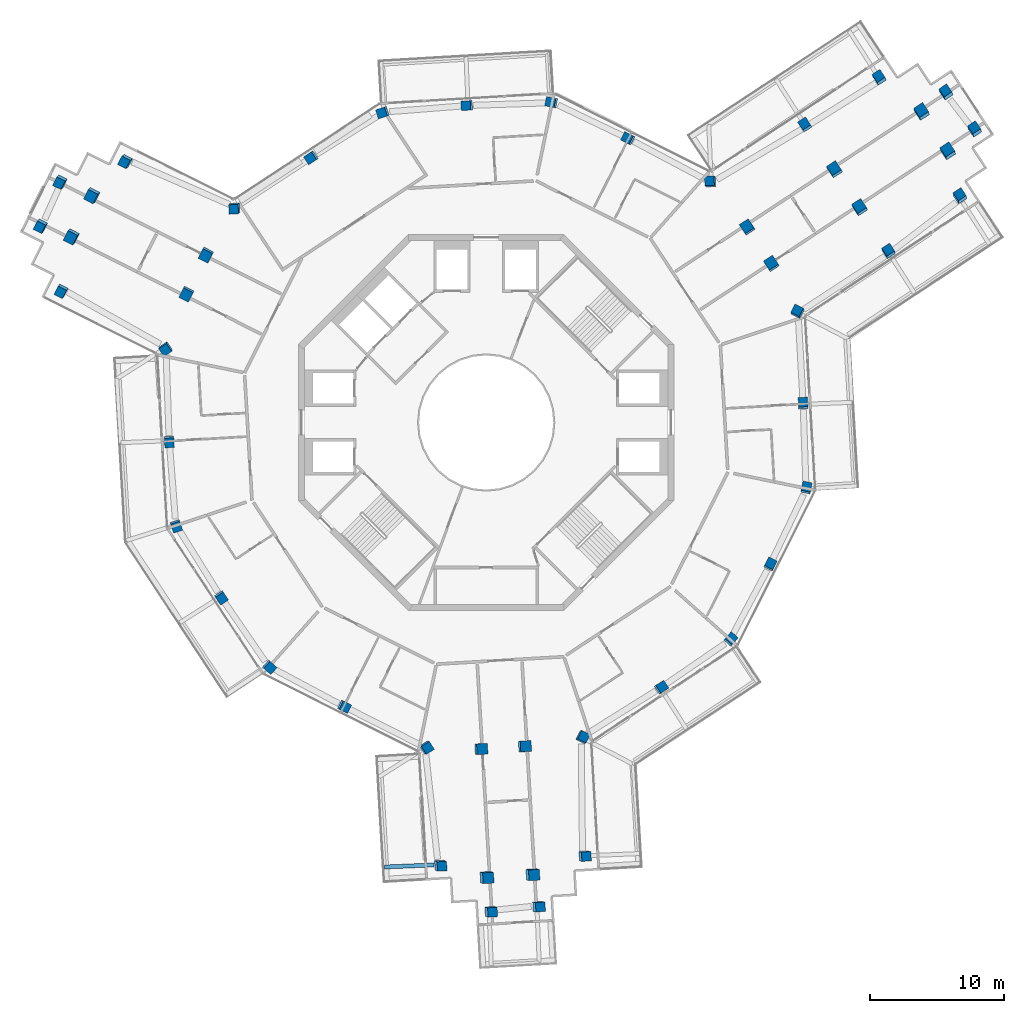
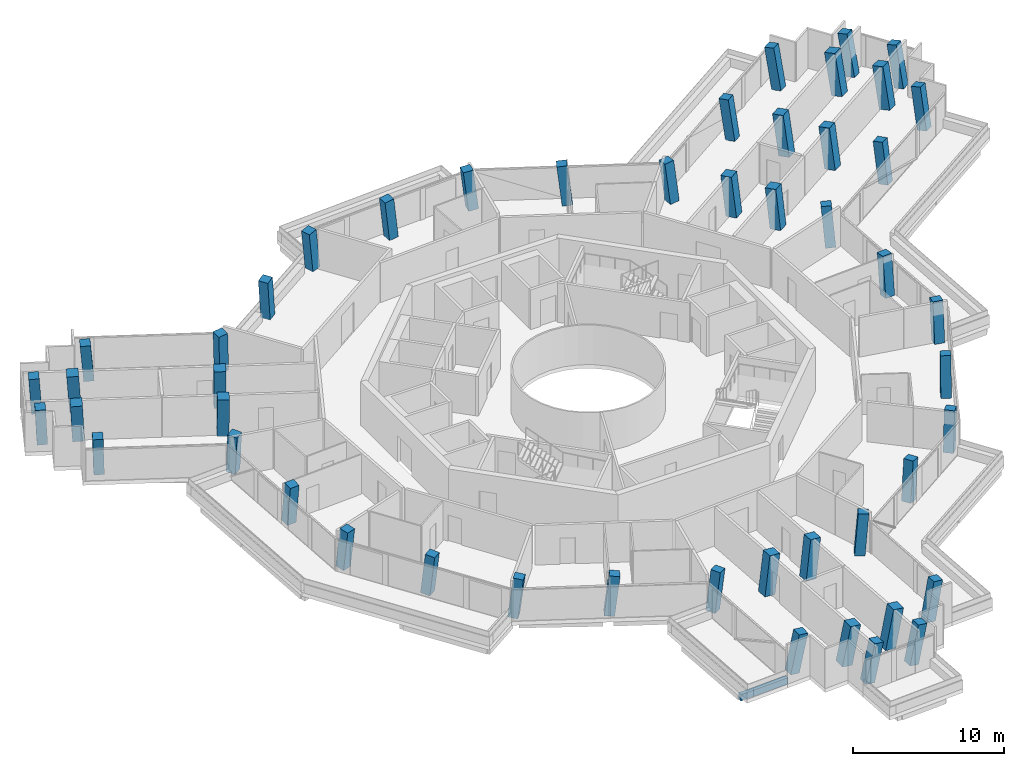
# One storey, part 1 of 26: 49 columns, 1 beam.
"""IFC4 building model written with IfcOpenShell, lengths in metres."""

from ifc_helpers import new_model, si_unit, direction, frame, origin, origin_2d, place, context, subcontext, project, spatial, rectangle, extrude, material, material_profile, profile_set, type_object, element, save


model = new_model("IFC4")

# Units and contexts
model_context = context("Model", 3, precision=1e-05, world=origin(), true_north=direction((0.0, 1.0)))
body_context = subcontext(model_context, "Body", "Model", "MODEL_VIEW")
ifc_project = project(units=[si_unit("LENGTHUNIT", "METRE"), si_unit("AREAUNIT", "SQUARE_METRE"), si_unit("VOLUMEUNIT", "CUBIC_METRE"), si_unit("PLANEANGLEUNIT", "RADIAN"), si_unit("MASSUNIT", "GRAM", prefix="KILO")], contexts=[model_context])

# Site, building, storey
site_placement = place(None, origin())
site = spatial("IfcSite", under=ifc_project, at=site_placement, CompositionType="ELEMENT")
building_placement = place(site_placement, origin())
building = spatial("IfcBuilding", under=site, at=building_placement, Name="Verdalira Terraces Hotel", CompositionType="ELEMENT")
storey_placement = place(building_placement, frame((0.0, 0.0, 291.5)))
storey = spatial("IfcBuildingStorey", under=building, at=storey_placement, Name="L72", CompositionType="ELEMENT", Elevation=291.5)

# Columns
ifc_material_1 = material(Name="Concrete C50", Category="concrete")
ifc_material_profile_1 = material_profile(ifc_material_1, rectangle(XDim=0.699951, YDim=0.699951, at=origin_2d()), Name="RC 700X700")
ifc_profile_set_1 = profile_set([ifc_material_profile_1], Name="Concrete C50")
column_type_1 = type_object("IfcColumnType", Name="Column RC 700X700 C50", PredefinedType="COLUMN", material=ifc_profile_set_1)
column_1_placement = place(storey_placement, frame((-26.816895, 19.504883, 0.0), z_axis=(-0.144489292, -0.101323304, 0.984305051), x_axis=(-0.884796223, 0.458585166, -0.082675808)))
element("IfcColumn", 1, at=column_1_placement, inside=storey, type_object=column_type_1, Name="Column C01", PredefinedType="COLUMN", context=body_context, shape_type="SweptSolid", body=[
    extrude(rectangle(XDim=0.699951, YDim=0.699951, at=origin_2d()), origin(), (0.0, 0.0, 1.0), 3.240723),
])
column_2_placement = place(storey_placement, frame((-31.614746, 9.851318, 0.0), z_axis=(-0.099140693, -0.123925866, 0.987326442), x_axis=(0.890936992, -0.452954697, 0.032608574)))
element("IfcColumn", 2, at=column_2_placement, inside=storey, type_object=column_type_1, Name="Column C02", PredefinedType="COLUMN", context=body_context, shape_type="SweptSolid", body=[
    extrude(rectangle(XDim=0.699951, YDim=0.699951, at=origin_2d()), origin(), (0.0, 0.0, 1.0), 3.230957),
])
column_3_placement = place(storey_placement, frame((-23.883789, 5.536865, 0.0), z_axis=(-0.0253882, -0.113790823, 0.99318029), x_axis=(-0.553702002, 0.828785361, 0.080801716)))
element("IfcColumn", 3, at=column_3_placement, inside=storey, type_object=column_type_1, Name="Column C03", PredefinedType="COLUMN", context=body_context, shape_type="SweptSolid", body=[
    extrude(rectangle(XDim=0.699951, YDim=0.699951, at=origin_2d()), origin(), (0.0, 0.0, 1.0), 3.211914),
])
column_4_placement = place(storey_placement, frame((-23.617676, -1.386719, 0.0), z_axis=(0.007528817, -0.112247814, 0.993651722), x_axis=(0.058082911, -0.991953134, -0.112496023)))
element("IfcColumn", 4, at=column_4_placement, inside=storey, type_object=column_type_1, Name="Column C04", PredefinedType="COLUMN", context=body_context, shape_type="SweptSolid", body=[
    extrude(rectangle(XDim=0.699951, YDim=0.699951, at=origin_2d()), origin(), (0.0, 0.0, 1.0), 3.210205),
])
column_5_placement = place(storey_placement, frame((-23.108643, -7.669189, 0.0), z_axis=(0.037401551, -0.109619993, 0.993269642), x_axis=(-0.312748183, 0.942748169, 0.11582083)))
element("IfcColumn", 5, at=column_5_placement, inside=storey, type_object=column_type_1, Name="Column C05", PredefinedType="COLUMN", context=body_context, shape_type="SweptSolid", body=[
    extrude(rectangle(XDim=0.699951, YDim=0.699951, at=origin_2d()), origin(), (0.0, 0.0, 1.0), 3.21167),
])
column_6_placement = place(storey_placement, frame((-19.760254, -13.009766, 0.0), z_axis=(0.062663903, -0.093463516, 0.993648734), x_axis=(0.546321949, -0.829982551, -0.112522412)))
element("IfcColumn", 6, at=column_6_placement, inside=storey, type_object=column_type_1, Name="Column C06", PredefinedType="COLUMN", context=body_context, shape_type="SweptSolid", body=[
    extrude(rectangle(XDim=0.699951, YDim=0.699951, at=origin_2d()), origin(), (0.0, 0.0, 1.0), 3.210449),
])
column_7_placement = place(storey_placement, frame((-16.177979, -18.196045, 0.0), z_axis=(0.087194218, -0.076247429, 0.993269096), x_axis=(-0.742135032, 0.660166681, 0.115825506)))
element("IfcColumn", 7, at=column_7_placement, inside=storey, type_object=column_type_1, Name="Column C07", PredefinedType="COLUMN", context=body_context, shape_type="SweptSolid", body=[
    extrude(rectangle(XDim=0.699951, YDim=0.699951, at=origin_2d()), origin(), (0.0, 0.0, 1.0), 3.21167),
])
column_8_placement = place(storey_placement, frame((-10.60791, -21.146729, 0.0), z_axis=(0.100992141, -0.049659539, 0.993647079), x_axis=(0.88792749, -0.446004698, -0.112537025)))
element("IfcColumn", 8, at=column_8_placement, inside=storey, type_object=column_type_1, Name="Column C08", PredefinedType="COLUMN", context=body_context, shape_type="SweptSolid", body=[
    extrude(rectangle(XDim=0.699951, YDim=0.699951, at=origin_2d()), origin(), (0.0, 0.0, 1.0), 3.210449),
])
column_9_placement = place(storey_placement, frame((-4.488281, -24.216553, 0.0), z_axis=(0.11530423, -0.020370161, 0.993121338), x_axis=(-0.542404026, 0.836287858, 0.08012797)))
element("IfcColumn", 9, at=column_9_placement, inside=storey, type_object=column_type_1, Name="Column C09", PredefinedType="COLUMN", context=body_context, shape_type="SweptSolid", body=[
    extrude(rectangle(XDim=0.699951, YDim=0.699951, at=origin_2d()), origin(), (0.0, 0.0, 1.0), 3.211914),
])
column_10_placement = place(storey_placement, frame((-3.483154, -32.976807, 0.0), z_axis=(0.160008058, -0.07442936, 0.98430569), x_axis=(0.045493894, -0.99553769, -0.082674137)))
element("IfcColumn", 10, at=column_10_placement, inside=storey, type_object=column_type_1, Name="Column C10", PredefinedType="COLUMN", context=body_context, shape_type="SweptSolid", body=[
    extrude(rectangle(XDim=0.699951, YDim=0.699951, at=origin_2d()), origin(), (0.0, 0.0, 1.0), 3.240723),
])
column_11_placement = place(storey_placement, frame((0.265137, -36.422852, 0.0), z_axis=(0.175858033, -0.056563405, 0.98278916), x_axis=(0.982673598, 0.069451946, -0.17184012)))
element("IfcColumn", 11, at=column_11_placement, inside=storey, type_object=column_type_1, Name="Column C11", PredefinedType="COLUMN", context=body_context, shape_type="SweptSolid", body=[
    extrude(rectangle(XDim=0.699951, YDim=0.699951, at=origin_2d()), origin(), (0.0, 0.0, 1.0), 3.24585),
])
column_12_placement = place(storey_placement, frame((3.82959, -36.053223, 0.0), z_axis=(0.17417523, -0.03991045, 0.983905557), x_axis=(0.982989056, 0.066173794, -0.17132876)))
element("IfcColumn", 12, at=column_12_placement, inside=storey, type_object=column_type_1, Name="Column C12", PredefinedType="COLUMN", context=body_context, shape_type="SweptSolid", body=[
    extrude(rectangle(XDim=0.699951, YDim=0.699951, at=origin_2d()), origin(), (0.0, 0.0, 1.0), 3.242188),
])
column_13_placement = place(storey_placement, frame((7.275879, -32.304932, 0.0), z_axis=(0.156872598, -0.023878488, 0.98733014), x_axis=(-0.053284691, 0.998046958, 0.032603846)))
element("IfcColumn", 13, at=column_13_placement, inside=storey, type_object=column_type_1, Name="Column C13", PredefinedType="COLUMN", context=body_context, shape_type="SweptSolid", body=[
    extrude(rectangle(XDim=0.699951, YDim=0.699951, at=origin_2d()), origin(), (0.0, 0.0, 1.0), 3.230957),
])
column_14_placement = place(storey_placement, frame((7.146729, -23.452393, 0.0), z_axis=(0.111206882, 0.034889924, 0.993184637), x_axis=(-0.440961919, -0.893883559, 0.080776048)))
element("IfcColumn", 14, at=column_14_placement, inside=storey, type_object=column_type_1, Name="Column C14", PredefinedType="COLUMN", context=body_context, shape_type="SweptSolid", body=[
    extrude(rectangle(XDim=0.699951, YDim=0.699951, at=origin_2d()), origin(), (0.0, 0.0, 1.0), 3.211914),
])
column_15_placement = place(storey_placement, frame((13.009766, -19.760254, 0.0), z_axis=(0.093463516, 0.062663903, 0.993648734), x_axis=(0.829982551, 0.546321949, -0.112522412)))
element("IfcColumn", 15, at=column_15_placement, inside=storey, type_object=column_type_1, Name="Column C15", PredefinedType="COLUMN", context=body_context, shape_type="SweptSolid", body=[
    extrude(rectangle(XDim=0.699951, YDim=0.699951, at=origin_2d()), origin(), (0.0, 0.0, 1.0), 3.210449),
])
column_16_placement = place(storey_placement, frame((18.196045, -16.177979, 0.0), z_axis=(0.076247429, 0.087194218, 0.993269096), x_axis=(-0.660166681, -0.742135032, 0.115825506)))
element("IfcColumn", 16, at=column_16_placement, inside=storey, type_object=column_type_1, Name="Column C16", PredefinedType="COLUMN", context=body_context, shape_type="SweptSolid", body=[
    extrude(rectangle(XDim=0.699951, YDim=0.699951, at=origin_2d()), origin(), (0.0, 0.0, 1.0), 3.21167),
])
column_17_placement = place(storey_placement, frame((21.146729, -10.60791, 0.0), z_axis=(0.049659539, 0.100992141, 0.993647079), x_axis=(0.446004698, 0.88792749, -0.112537025)))
element("IfcColumn", 17, at=column_17_placement, inside=storey, type_object=column_type_1, Name="Column C17", PredefinedType="COLUMN", context=body_context, shape_type="SweptSolid", body=[
    extrude(rectangle(XDim=0.699951, YDim=0.699951, at=origin_2d()), origin(), (0.0, 0.0, 1.0), 3.210449),
])
column_18_placement = place(storey_placement, frame((23.847168, -4.912598, 0.0), z_axis=(0.022425686, 0.113648817, 0.993267857), x_axis=(-0.200555144, -0.972810168, 0.115836137)))
element("IfcColumn", 18, at=column_18_placement, inside=storey, type_object=column_type_1, Name="Column C18", PredefinedType="COLUMN", context=body_context, shape_type="SweptSolid", body=[
    extrude(rectangle(XDim=0.699951, YDim=0.699951, at=origin_2d()), origin(), (0.0, 0.0, 1.0), 3.21167),
])
column_19_placement = place(storey_placement, frame((23.617676, 1.386719, 0.0), z_axis=(-0.007528817, 0.112247814, 0.993651722), x_axis=(-0.058082911, 0.991953134, -0.112496023)))
element("IfcColumn", 19, at=column_19_placement, inside=storey, type_object=column_type_1, Name="Column C19", PredefinedType="COLUMN", context=body_context, shape_type="SweptSolid", body=[
    extrude(rectangle(XDim=0.699951, YDim=0.699951, at=origin_2d()), origin(), (0.0, 0.0, 1.0), 3.210205),
])
column_20_placement = place(storey_placement, frame((23.216309, 8.221191, 0.0), z_axis=(-0.03998021, 0.110059589, 0.993120572), x_axis=(-0.453311302, -0.887743014, 0.080132415)))
element("IfcColumn", 20, at=column_20_placement, inside=storey, type_object=column_type_1, Name="Column C20", PredefinedType="COLUMN", context=body_context, shape_type="SweptSolid", body=[
    extrude(rectangle(XDim=0.699951, YDim=0.699951, at=origin_2d()), origin(), (0.0, 0.0, 1.0), 3.212158),
])
column_21_placement = place(storey_placement, frame((29.998535, 12.686523, 0.0), z_axis=(-0.03647698, 0.157991393, 0.986766512), x_axis=(0.838610723, 0.541869934, -0.055758681)))
element("IfcColumn", 21, at=column_21_placement, inside=storey, type_object=column_type_1, Name="Column C21", PredefinedType="COLUMN", context=body_context, shape_type="SweptSolid", body=[
    extrude(rectangle(XDim=0.699951, YDim=0.699951, at=origin_2d()), origin(), (0.0, 0.0, 1.0), 3.232666),
])
column_22_placement = place(storey_placement, frame((35.311523, 16.770996, 0.0), z_axis=(-0.03111484, 0.198385221, 0.979630119), x_axis=(0.84076444, 0.535204174, -0.081680162)))
element("IfcColumn", 22, at=column_22_placement, inside=storey, type_object=column_type_1, Name="Column C22", PredefinedType="COLUMN", context=body_context, shape_type="SweptSolid", body=[
    extrude(rectangle(XDim=0.699951, YDim=0.699951, at=origin_2d()), origin(), (0.0, 0.0, 1.0), 3.256348),
])
column_23_placement = place(storey_placement, frame((36.421875, 21.740479, 0.0), z_axis=(-0.054324158, 0.202929913, 0.977685193), x_axis=(-0.549974522, 0.811146231, -0.198921635)))
element("IfcColumn", 23, at=column_23_placement, inside=storey, type_object=column_type_1, Name="Column C23", PredefinedType="COLUMN", context=body_context, shape_type="SweptSolid", body=[
    extrude(rectangle(XDim=0.699951, YDim=0.699951, at=origin_2d()), origin(), (0.0, 0.0, 1.0), 3.262695),
])
column_24_placement = place(storey_placement, frame((34.291016, 24.50415, 0.0), z_axis=(-0.067276264, 0.193063398, 0.978877127), x_axis=(-0.547395325, 0.813115985, -0.197991803)))
element("IfcColumn", 24, at=column_24_placement, inside=storey, type_object=column_type_1, Name="Column C24", PredefinedType="COLUMN", context=body_context, shape_type="SweptSolid", body=[
    extrude(rectangle(XDim=0.699951, YDim=0.699951, at=origin_2d()), origin(), (0.0, 0.0, 1.0), 3.258789),
])
column_25_placement = place(storey_placement, frame((29.321777, 25.614502, 0.0), z_axis=(-0.072578591, 0.170352858, 0.982706595), x_axis=(-0.83802504, -0.544661541, 0.032524432)))
element("IfcColumn", 25, at=column_25_placement, inside=storey, type_object=column_type_1, Name="Column C25", PredefinedType="COLUMN", context=body_context, shape_type="SweptSolid", body=[
    extrude(rectangle(XDim=0.699951, YDim=0.699951, at=origin_2d()), origin(), (0.0, 0.0, 1.0), 3.246094),
])
column_26_placement = place(storey_placement, frame((23.784912, 22.124512, 0.0), z_axis=(-0.081016954, 0.128522694, 0.988391709), x_axis=(-0.835308585, -0.549773092, 0.003019209)))
element("IfcColumn", 26, at=column_26_placement, inside=storey, type_object=column_type_1, Name="Column C26", PredefinedType="COLUMN", context=body_context, shape_type="SweptSolid", body=[
    extrude(rectangle(XDim=0.699951, YDim=0.699951, at=origin_2d()), origin(), (0.0, 0.0, 1.0), 3.227295),
])
column_27_placement = place(storey_placement, frame((16.737061, 17.915527, 0.0), z_axis=(-0.085818315, 0.078901161, 0.993181667), x_axis=(0.994621215, 0.064815395, 0.080793584)))
element("IfcColumn", 27, at=column_27_placement, inside=storey, type_object=column_type_1, Name="Column C27", PredefinedType="COLUMN", context=body_context, shape_type="SweptSolid", body=[
    extrude(rectangle(XDim=0.699951, YDim=0.699951, at=origin_2d()), origin(), (0.0, 0.0, 1.0), 3.211914),
])
column_28_placement = place(storey_placement, frame((10.60791, 21.146729, 0.0), z_axis=(-0.100992141, 0.049659539, 0.993647079), x_axis=(-0.88792749, 0.446004698, -0.112537025)))
element("IfcColumn", 28, at=column_28_placement, inside=storey, type_object=column_type_1, Name="Column C28", PredefinedType="COLUMN", context=body_context, shape_type="SweptSolid", body=[
    extrude(rectangle(XDim=0.699951, YDim=0.699951, at=origin_2d()), origin(), (0.0, 0.0, 1.0), 3.210449),
])
column_29_placement = place(storey_placement, frame((4.912598, 23.847168, 0.0), z_axis=(-0.113648817, 0.022425686, 0.993267857), x_axis=(0.972810168, -0.200555144, 0.115836137)))
element("IfcColumn", 29, at=column_29_placement, inside=storey, type_object=column_type_1, Name="Column C29", PredefinedType="COLUMN", context=body_context, shape_type="SweptSolid", body=[
    extrude(rectangle(XDim=0.699951, YDim=0.699951, at=origin_2d()), origin(), (0.0, 0.0, 1.0), 3.21167),
])
column_30_placement = place(storey_placement, frame((-1.386719, 23.617676, 0.0), z_axis=(-0.112247814, -0.007528817, 0.993651722), x_axis=(-0.991953134, -0.058082911, -0.112496023)))
element("IfcColumn", 30, at=column_30_placement, inside=storey, type_object=column_type_1, Name="Column C30", PredefinedType="COLUMN", context=body_context, shape_type="SweptSolid", body=[
    extrude(rectangle(XDim=0.699951, YDim=0.699951, at=origin_2d()), origin(), (0.0, 0.0, 1.0), 3.210205),
])
column_31_placement = place(storey_placement, frame((-7.669189, 23.108643, 0.0), z_axis=(-0.109619993, -0.037401551, 0.993269642), x_axis=(0.942748169, 0.312748183, 0.11582083)))
element("IfcColumn", 31, at=column_31_placement, inside=storey, type_object=column_type_1, Name="Column C31", PredefinedType="COLUMN", context=body_context, shape_type="SweptSolid", body=[
    extrude(rectangle(XDim=0.699951, YDim=0.699951, at=origin_2d()), origin(), (0.0, 0.0, 1.0), 3.21167),
])
column_32_placement = place(storey_placement, frame((-13.009766, 19.760254, 0.0), z_axis=(-0.093463516, -0.062663903, 0.993648734), x_axis=(-0.829982551, -0.546321949, -0.112522412)))
element("IfcColumn", 32, at=column_32_placement, inside=storey, type_object=column_type_1, Name="Column C32", PredefinedType="COLUMN", context=body_context, shape_type="SweptSolid", body=[
    extrude(rectangle(XDim=0.699951, YDim=0.699951, at=origin_2d()), origin(), (0.0, 0.0, 1.0), 3.210449),
])
column_33_placement = place(storey_placement, frame((-18.728027, 15.995361, 0.0), z_axis=(-0.075323692, -0.089689159, 0.993117413), x_axis=(0.995452044, 0.051488692, 0.080150745)))
element("IfcColumn", 33, at=column_33_placement, inside=storey, type_object=column_type_1, Name="Column C33", PredefinedType="COLUMN", context=body_context, shape_type="SweptSolid", body=[
    extrude(rectangle(XDim=0.699951, YDim=0.699951, at=origin_2d()), origin(), (0.0, 0.0, 1.0), 3.212158),
])
column_34_placement = place(storey_placement, frame((-31.675781, 17.981689, 0.0), z_axis=(-0.136896808, -0.123959308, 0.982798735), x_axis=(-0.431340614, -0.885681959, -0.171792728)))
element("IfcColumn", 34, at=column_34_placement, inside=storey, type_object=column_type_1, Name="Column C34", PredefinedType="COLUMN", context=body_context, shape_type="SweptSolid", body=[
    extrude(rectangle(XDim=0.699951, YDim=0.699951, at=origin_2d()), origin(), (0.0, 0.0, 1.0), 3.24585),
])
column_35_placement = place(storey_placement, frame((-33.137939, 14.710205, 0.0), z_axis=(-0.121540419, -0.130878097, 0.983920144), x_axis=(-0.433817571, -0.88457626, -0.17125173)))
element("IfcColumn", 35, at=column_35_placement, inside=storey, type_object=column_type_1, Name="Column C35", PredefinedType="COLUMN", context=body_context, shape_type="SweptSolid", body=[
    extrude(rectangle(XDim=0.699951, YDim=0.699951, at=origin_2d()), origin(), (0.0, 0.0, 1.0), 3.242188),
])
ifc_material_2 = material(Name="Concrete C50", Category="concrete")
ifc_material_profile_2 = material_profile(ifc_material_2, rectangle(XDim=0.800049, YDim=0.800049, at=origin_2d()), Name="RC 800X800")
ifc_profile_set_2 = profile_set([ifc_material_profile_2], Name="Concrete C50")
column_type_2 = type_object("IfcColumnType", Name="Column RC 800X800 C50", PredefinedType="COLUMN", material=ifc_profile_set_2)
for number, where, z_axis, x_axis, name in (
    (36, (-20.850586, 12.536377, 0.0), (-0.058839642, -0.099662495, 0.993280063), (-0.893242445, 0.449507414, -0.007811529), "Column C36"),
    (37, (-22.310791, 9.625732, 0.0), (-0.044928686, -0.106506073, 0.993296466), (-0.894092476, 0.447818325, 0.007575755), "Column C37"),
):
    element("IfcColumn", number, at=place(storey_placement, frame(where, z_axis=z_axis, x_axis=x_axis)), inside=storey, type_object=column_type_2, Name=name, PredefinedType="COLUMN", context=body_context, shape_type="SweptSolid", body=[
        extrude(rectangle(XDim=0.800049, YDim=0.800049, at=origin_2d()), origin(), (0.0, 0.0, 1.0), 3.211426),
    ])
column_36_placement = place(storey_placement, frame((-29.308594, 16.969238, 0.0), z_axis=(-0.132417265, -0.11304832, 0.984726229), x_axis=(-0.8870629, 0.456783519, -0.066844806)))
element("IfcColumn", 38, at=column_36_placement, inside=storey, type_object=column_type_2, Name="Column C38", PredefinedType="COLUMN", context=body_context, shape_type="SweptSolid", body=[
    extrude(rectangle(XDim=0.800049, YDim=0.800049, at=origin_2d()), origin(), (0.0, 0.0, 1.0), 3.239502),
])
column_37_placement = place(storey_placement, frame((-30.844727, 13.906494, 0.0), z_axis=(-0.118137869, -0.120250168, 0.985689272), x_axis=(-0.888830989, 0.455391269, -0.050973186)))
element("IfcColumn", 39, at=column_37_placement, inside=storey, type_object=column_type_2, Name="Column C39", PredefinedType="COLUMN", context=body_context, shape_type="SweptSolid", body=[
    extrude(rectangle(XDim=0.800049, YDim=0.800049, at=origin_2d()), origin(), (0.0, 0.0, 1.0), 3.236328),
])
for number, where, z_axis, x_axis, name in (
    (40, (-0.431396, -24.325439, 0.0), (0.115628129, -0.001064296, 0.993292003), (0.057855951, -0.998294434, -0.007804609), "Column C40"),
    (41, (2.819336, -24.134521, 0.0), (0.114641131, 0.014368152, 0.993303059), (0.059498307, -0.998199687, 0.007572042), "Column C41"),
):
    element("IfcColumn", number, at=place(storey_placement, frame(where, z_axis=z_axis, x_axis=x_axis)), inside=storey, type_object=column_type_2, Name=name, PredefinedType="COLUMN", context=body_context, shape_type="SweptSolid", body=[
        extrude(rectangle(XDim=0.800049, YDim=0.800049, at=origin_2d()), origin(), (0.0, 0.0, 1.0), 3.211426),
    ])
column_38_placement = place(storey_placement, frame((-0.041504, -33.866455, 0.0), z_axis=(0.164144219, -0.058256878, 0.984714584), x_axis=(0.047441274, -0.996633191, -0.066870087)))
element("IfcColumn", 42, at=column_38_placement, inside=storey, type_object=column_type_2, Name="Column C42", PredefinedType="COLUMN", context=body_context, shape_type="SweptSolid", body=[
    extrude(rectangle(XDim=0.800049, YDim=0.800049, at=origin_2d()), origin(), (0.0, 0.0, 1.0), 3.239502),
])
column_39_placement = place(storey_placement, frame((3.378906, -33.665527, 0.0), z_axis=(0.163176098, -0.042170799, 0.98569528), x_axis=(0.050071813, -0.99744455, -0.050962562)))
element("IfcColumn", 43, at=column_39_placement, inside=storey, type_object=column_type_2, Name="Column C43", PredefinedType="COLUMN", context=body_context, shape_type="SweptSolid", body=[
    extrude(rectangle(XDim=0.800049, YDim=0.800049, at=origin_2d()), origin(), (0.0, 0.0, 1.0), 3.236328),
])
for number, where, z_axis, x_axis, name in (
    (44, (21.282227, 11.789062, 0.0), (-0.05693933, 0.100727119, 0.993283424), (0.835562158, 0.549340414, -0.007809581), "Column C44"),
    (45, (19.491455, 14.508789, 0.0), (-0.069787789, 0.092138126, 0.993297654), (0.8347409, 0.550590817, 0.007575086), "Column C45"),
):
    element("IfcColumn", number, at=place(storey_placement, frame(where, z_axis=z_axis, x_axis=x_axis)), inside=storey, type_object=column_type_2, Name=name, PredefinedType="COLUMN", context=body_context, shape_type="SweptSolid", body=[
        extrude(rectangle(XDim=0.800049, YDim=0.800049, at=origin_2d()), origin(), (0.0, 0.0, 1.0), 3.211426),
    ])
column_40_placement = place(storey_placement, frame((27.849365, 15.950928, 0.0), z_axis=(-0.051854224, 0.147852568, 0.987649107), x_axis=(0.8378054, 0.544676027, -0.037551799)))
element("IfcColumn", 46, at=column_40_placement, inside=storey, type_object=column_type_2, Name="Column C46", PredefinedType="COLUMN", context=body_context, shape_type="SweptSolid", body=[
    extrude(rectangle(XDim=0.800049, YDim=0.800049, at=origin_2d()), origin(), (0.0, 0.0, 1.0), 3.229736),
])
column_41_placement = place(storey_placement, frame((25.984375, 18.783691, 0.0), z_axis=(-0.065265882, 0.13900196, 0.988139069), x_axis=(0.836681712, 0.547258547, -0.02172087)))
element("IfcColumn", 47, at=column_41_placement, inside=storey, type_object=column_type_2, Name="Column C47", PredefinedType="COLUMN", context=body_context, shape_type="SweptSolid", body=[
    extrude(rectangle(XDim=0.800049, YDim=0.800049, at=origin_2d()), origin(), (0.0, 0.0, 1.0), 3.228271),
])
column_42_placement = place(storey_placement, frame((34.416748, 20.112793, 0.0), z_axis=(-0.046796772, 0.194011619, 0.979882418), x_axis=(0.840222054, 0.538158466, -0.066425638)))
element("IfcColumn", 48, at=column_42_placement, inside=storey, type_object=column_type_2, Name="Column C48", PredefinedType="COLUMN", context=body_context, shape_type="SweptSolid", body=[
    extrude(rectangle(XDim=0.800049, YDim=0.800049, at=origin_2d()), origin(), (0.0, 0.0, 1.0), 3.255371),
])
column_43_placement = place(storey_placement, frame((32.477295, 23.058594, 0.0), z_axis=(-0.060582086, 0.184974298, 0.980874263), x_axis=(0.839358171, 0.541253137, -0.050228508)))
element("IfcColumn", 49, at=column_43_placement, inside=storey, type_object=column_type_2, Name="Column C49", PredefinedType="COLUMN", context=body_context, shape_type="SweptSolid", body=[
    extrude(rectangle(XDim=0.800049, YDim=0.800049, at=origin_2d()), origin(), (0.0, 0.0, 1.0), 3.252197),
])

# Beam
ifc_material_3 = material(Name="Concrete C40", Category="concrete")
ifc_material_profile_3 = material_profile(ifc_material_3, rectangle(XDim=0.300049, YDim=0.5, at=origin_2d()), Name="RC 300X500")
ifc_profile_set_3 = profile_set([ifc_material_profile_3], Name="Concrete C40")
beam_type = type_object("IfcBeamType", Name="Balcony cantilever beam RC 300X500 C40", PredefinedType="BEAM", material=ifc_profile_set_3)
beam_placement = place(storey_placement, frame((-3.882812, -32.963135, -0.560059), z_axis=(-0.999120999, -0.041919311, 0.0), x_axis=(0.041919311, -0.999120999, 0.0)))
element("IfcBeam", 50, at=beam_placement, inside=storey, type_object=beam_type, Name="Balcony cantilever beam R14-2", PredefinedType="BEAM", context=body_context, shape_type="SweptSolid", body=[
    extrude(rectangle(XDim=0.300049, YDim=0.5, at=origin_2d()), origin(), (0.0, 0.0, 1.0), 3.692383),
])

save(model, "model.ifc")
